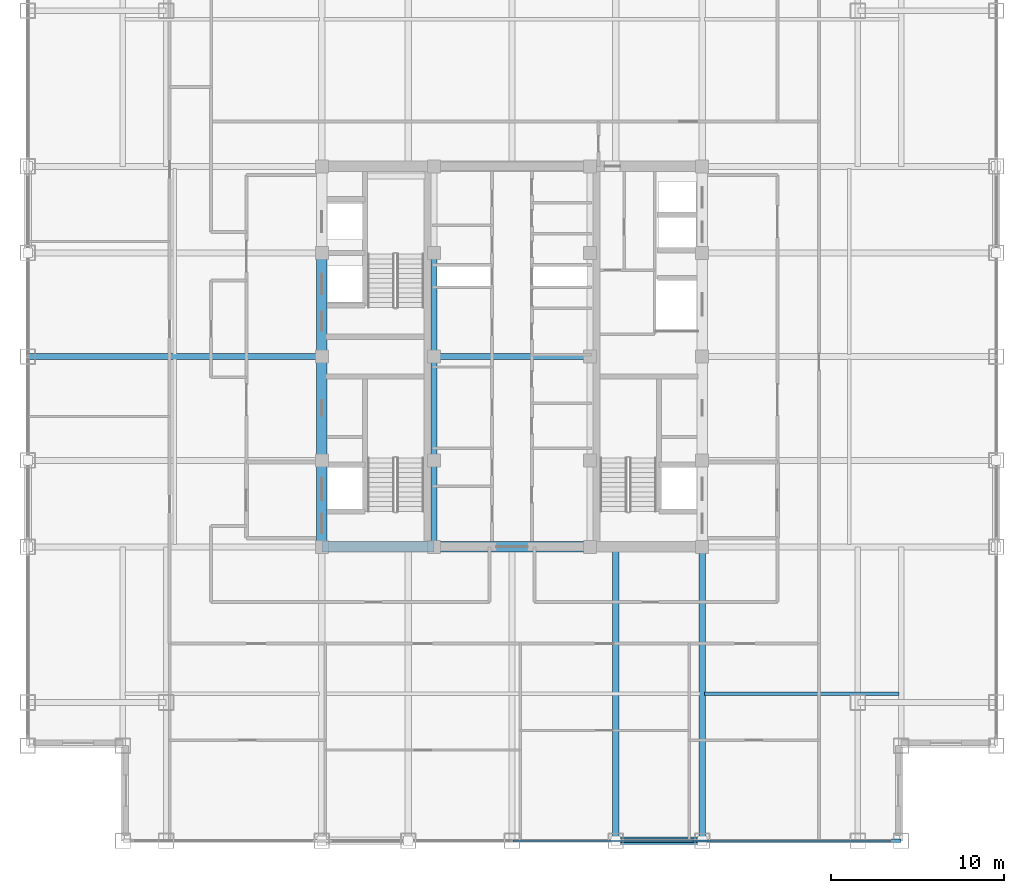
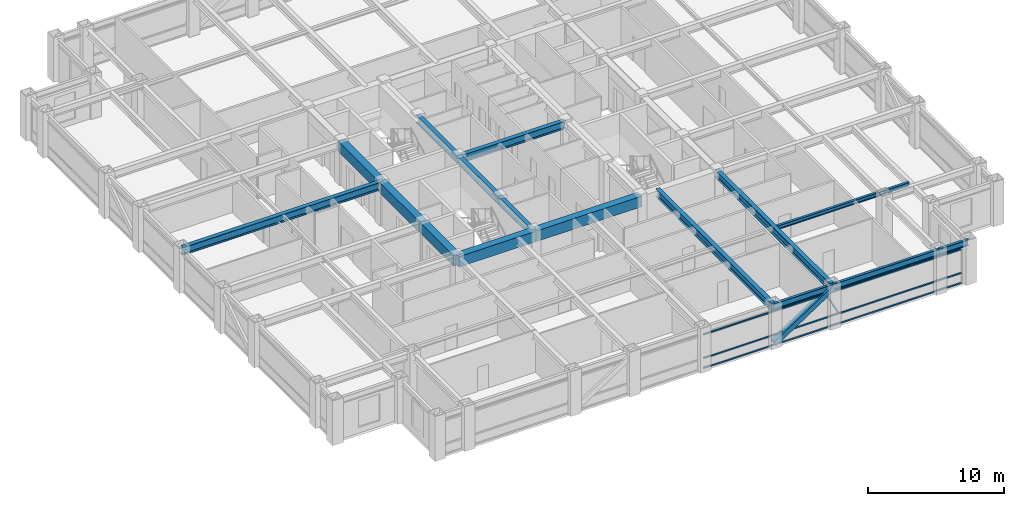
# One storey, part 7 of 22: 16 beams, 5 members, 1 element without a shape of its own.
"""IFC4 building model written with IfcOpenShell, lengths in metres."""

import ifcopenshell
import ifcopenshell.guid

model = None  # the IFC model being written
_history = None  # IfcOwnerHistory: only IFC2X3 demands one
_inside = {}  # id of a spatial element -> (the spatial element, [elements in it])
_under = {}  # id of a project, library or spatial element -> (it, [spatial elements below it])
_declared = {}  # id of a project -> (the project, [libraries it declares])
_typed = {}  # id of a type object -> (the type object, [elements of that type])
_made_of = {}  # id of a material, layer set ... -> (it, [elements and type objects made of it])


def new_model(schema):
    """Start an empty IFC model of exactly this schema.

    Asked for "IFC4X3", IfcOpenShell would pick the latest addendum, in which some entities
    have other attributes; the version numbers below select the first issue.
    IFC2X3 requires an IfcOwnerHistory on every rooted entity: one is made here for all.
    """
    global model, _history
    if schema == "IFC4X3":
        model = ifcopenshell.file(schema_version=(4, 3, 0, 0))
    else:
        model = ifcopenshell.file(schema=schema)
    _inside.clear()
    _under.clear()
    _declared.clear()
    _typed.clear()
    _made_of.clear()
    _history = None
    if model.schema == "IFC2X3":
        org = make("IfcOrganization", Name="unknown")
        user = make(
            "IfcPersonAndOrganization",
            ThePerson=make("IfcPerson", FamilyName="unknown"),
            TheOrganization=org,
        )
        app = make(
            "IfcApplication",
            ApplicationDeveloper=org,
            Version="unknown",
            ApplicationFullName="unknown",
            ApplicationIdentifier="unknown",
        )
        _history = make(
            "IfcOwnerHistory",
            OwningUser=user,
            OwningApplication=app,
            ChangeAction="ADDED",
            CreationDate=0,
        )
    return model


def make(cls, **values):
    """One entity of the class cls with the attributes given. An attribute that is None is left unset."""
    return model.create_entity(
        cls, **{name: value for name, value in values.items() if value is not None}
    )


def rooted(cls, **values):
    """An entity with a GlobalId (a new one), such as an element, a storey or a relation."""
    return make(cls, GlobalId=ifcopenshell.guid.new(), OwnerHistory=_history, **values)


def si_unit(unit_type, name, prefix=None):
    """IfcSIUnit, for example si_unit("LENGTHUNIT", "METRE", prefix="MILLI")."""
    return make("IfcSIUnit", UnitType=unit_type, Prefix=prefix, Name=name)


def assignment(units):
    """IfcUnitAssignment: the units of a project."""
    return None if units is None else make("IfcUnitAssignment", Units=units)


def point(xyz):
    """IfcCartesianPoint."""
    return None if xyz is None else make("IfcCartesianPoint", Coordinates=xyz)


def direction(xyz):
    """IfcDirection."""
    return None if xyz is None else make("IfcDirection", DirectionRatios=xyz)


def frame(location, z_axis=None, x_axis=None):
    """IfcAxis2Placement3D, a coordinate frame: its origin and axes. An axis left out is left unset."""
    return make(
        "IfcAxis2Placement3D",
        Location=point(location),
        Axis=direction(z_axis),
        RefDirection=direction(x_axis),
    )


def frame_2d(location, x_axis=None):
    """IfcAxis2Placement2D, a coordinate frame in the plane: its origin and x axis."""
    return make(
        "IfcAxis2Placement2D", Location=point(location), RefDirection=direction(x_axis)
    )


def origin():
    """The frame at (0, 0, 0) with its axes left unset."""
    return frame((0.0, 0.0, 0.0))


def origin_2d():
    """The frame at (0, 0) in the plane with its x axis left unset."""
    return frame_2d((0.0, 0.0))


def place(relative_to, where):
    """IfcLocalPlacement: puts the frame where relative to a parent placement (None: the world)."""
    return make(
        "IfcLocalPlacement", PlacementRelTo=relative_to, RelativePlacement=where
    )


def context(
    kind, dimensions, precision=None, world=None, true_north=None, identifier=None
):
    """IfcGeometricRepresentationContext, for example the 3D "Model" context."""
    return make(
        "IfcGeometricRepresentationContext",
        ContextIdentifier=identifier,
        ContextType=kind,
        CoordinateSpaceDimension=dimensions,
        Precision=precision,
        WorldCoordinateSystem=world,
        TrueNorth=true_north,
    )


def subcontext(parent, identifier, kind, view, scale=None):
    """IfcGeometricRepresentationSubContext, for example "Body" below "Model"."""
    return make(
        "IfcGeometricRepresentationSubContext",
        ContextIdentifier=identifier,
        ContextType=kind,
        ParentContext=parent,
        TargetScale=scale,
        TargetView=view,
    )


def project(units=None, contexts=None):
    """IfcProject with its units and contexts."""
    return rooted(
        "IfcProject",
        Name="project",
        RepresentationContexts=contexts,
        UnitsInContext=assignment(units),
    )


def spatial(cls, under=None, at=None, **own):
    """A site, building, storey or space (cls), placed at a placement, below another one or the project."""
    s = rooted(cls, ObjectPlacement=at, **own)
    if under is not None:
        _under.setdefault(under.id(), (under, []))[1].append(s)
    return s


def profile(cls, at=None, kind="AREA", **sizes):
    """A parametric profile (cls). Its sizes go by their IFC names, for example OverallWidth=200.0."""
    return make(cls, ProfileType=kind, Position=at, **sizes)


def rectangle(**sizes):
    """IfcRectangleProfileDef."""
    return profile("IfcRectangleProfileDef", **sizes)


def hollow_rectangle(**sizes):
    """IfcRectangleHollowProfileDef."""
    return profile("IfcRectangleHollowProfileDef", **sizes)


def i_section(**sizes):
    """IfcIShapeProfileDef."""
    return profile("IfcIShapeProfileDef", **sizes)


def extrude(swept, where, along, depth):
    """IfcExtrudedAreaSolid: the profile swept, set in the frame where, extruded along a direction by depth."""
    return make(
        "IfcExtrudedAreaSolid",
        SweptArea=swept,
        Position=where,
        ExtrudedDirection=direction(along),
        Depth=depth,
    )


def shape(context_of_items, identifier, shape_type, items):
    """IfcShapeRepresentation: the items that make up one representation, for example the "Body"."""
    return make(
        "IfcShapeRepresentation",
        ContextOfItems=context_of_items,
        RepresentationIdentifier=identifier,
        RepresentationType=shape_type,
        Items=items,
    )


def source(mapping_origin, context_of_items, identifier, shape_type, items):
    """IfcRepresentationMap: a shape defined once, which mapped items show again and again."""
    return make(
        "IfcRepresentationMap",
        MappingOrigin=mapping_origin,
        MappedRepresentation=shape(context_of_items, identifier, shape_type, items),
    )


def transform(
    local_origin,
    x_axis=None,
    y_axis=None,
    z_axis=None,
    scale=None,
    scale2=None,
    scale3=None,
    uniform=True,
):
    """IfcCartesianTransformationOperator3D, or its non-uniform kind. x_axis, y_axis, z_axis: its Axis1, 2, 3."""
    if uniform:
        return make(
            "IfcCartesianTransformationOperator3D",
            Axis1=direction(x_axis),
            Axis2=direction(y_axis),
            LocalOrigin=point(local_origin),
            Scale=scale,
            Axis3=direction(z_axis),
        )
    return make(
        "IfcCartesianTransformationOperator3DnonUniform",
        Axis1=direction(x_axis),
        Axis2=direction(y_axis),
        LocalOrigin=point(local_origin),
        Scale=scale,
        Axis3=direction(z_axis),
        Scale2=scale2,
        Scale3=scale3,
    )


def mapped(mapping_source, mapping_target):
    """IfcMappedItem: shows the shape of a source again, moved by a transform."""
    return make(
        "IfcMappedItem", MappingSource=mapping_source, MappingTarget=mapping_target
    )


def material(Name=None, Category=None):
    """IfcMaterial."""
    return make("IfcMaterial", Name=Name, Category=Category)


def material_profile(
    of_material, cross_section, Name=None, Category=None, Priority=None
):
    """IfcMaterialProfile: a cross section and its material."""
    return make(
        "IfcMaterialProfile",
        Name=Name,
        Material=of_material,
        Profile=cross_section,
        Priority=Priority,
        Category=Category,
    )


def profile_set(profiles, Name=None, composite=None):
    """IfcMaterialProfileSet."""
    return make(
        "IfcMaterialProfileSet",
        Name=Name,
        MaterialProfiles=profiles,
        CompositeProfile=composite,
    )


def made_of(thing, what):
    """Note that an element or type object is made of a material, layer set ...; save() writes the relation."""
    if what is not None:
        _made_of.setdefault(what.id(), (what, []))[1].append(thing)
    return thing


def type_object(cls, material=None, **own):
    """A type object (cls), such as IfcWallType, which elements share."""
    return made_of(rooted(cls, **own), material)


def element(
    cls,
    number,
    at=None,
    inside=None,
    cuts=None,
    type_object=None,
    material=None,
    context=None,
    identifier="Body",
    shape_type=None,
    held_by="IfcProductDefinitionShape",
    body=None,
    shapes=None,
    **own,
):
    """One element of the class cls, such as IfcWall. Its Tag is "e" and its number.

    at: its placement. inside: the storey or other place that contains it. cuts: it is an
    opening in that element (IfcRelVoidsElement). A single representation is given by context,
    identifier, shape_type and body (its items); several are given by shapes. held_by: the class
    of the entity that holds the representations. save() writes the other relations.
    """
    e = rooted(cls, Tag="e%d" % number, ObjectPlacement=at, **own)
    if body is not None:
        shapes = [shape(context, identifier, shape_type, body)]
    if shapes is not None:
        e.Representation = make(held_by, Representations=shapes)
    if inside is not None:
        _inside.setdefault(inside.id(), (inside, []))[1].append(e)
    if cuts is not None:
        rooted(
            "IfcRelVoidsElement", RelatingBuildingElement=cuts, RelatedOpeningElement=e
        )
    if type_object is not None:
        _typed.setdefault(type_object.id(), (type_object, []))[1].append(e)
    return made_of(e, material)


def aggregate(whole, parts):
    """IfcRelAggregates: a whole, such as a stair, and the parts it consists of."""
    return rooted("IfcRelAggregates", RelatingObject=whole, RelatedObjects=parts)


def save(model, path):
    """Write the relations noted so far, then the file.

    IfcRelAggregates (storeys below a building ...), IfcRelContainedInSpatialStructure (elements
    in a storey), IfcRelDefinesByType, IfcRelAssociatesMaterial and IfcRelDeclares: one each for
    every whole, place, type object, material and project.
    """
    for whole, parts in _under.values():
        aggregate(whole, parts)
    for where, things in _inside.values():
        rooted(
            "IfcRelContainedInSpatialStructure",
            RelatedElements=things,
            RelatingStructure=where,
        )
    for kind, things in _typed.values():
        rooted("IfcRelDefinesByType", RelatedObjects=things, RelatingType=kind)
    for what, things in _made_of.values():
        rooted("IfcRelAssociatesMaterial", RelatedObjects=things, RelatingMaterial=what)
    for by, libraries in _declared.values():
        rooted("IfcRelDeclares", RelatingContext=by, RelatedDefinitions=libraries)
    model.write(path)


model = new_model("IFC4")

# Units and contexts
model_context = context("Model", 3, precision=1e-05, world=origin(), true_north=direction((0.0, 1.0)))
body_context = subcontext(model_context, "Body", "Model", "MODEL_VIEW")
ifc_project = project(units=[si_unit("LENGTHUNIT", "METRE"), si_unit("AREAUNIT", "SQUARE_METRE"), si_unit("VOLUMEUNIT", "CUBIC_METRE"), si_unit("PLANEANGLEUNIT", "RADIAN"), si_unit("MASSUNIT", "GRAM", prefix="KILO")], contexts=[model_context])

# Site, building, storey
site_placement = place(None, origin())
site = spatial("IfcSite", under=ifc_project, at=site_placement, CompositionType="ELEMENT")
building_placement = place(site_placement, origin())
building = spatial("IfcBuilding", under=site, at=building_placement, Name="Khorayat Bourse Tower", CompositionType="ELEMENT")
storey_placement = place(building_placement, frame((0.0, 0.0, 297.5)))
storey = spatial("IfcBuildingStorey", under=building, at=storey_placement, Name="L70", CompositionType="ELEMENT", Elevation=297.5)

# Beams
ifc_material_1 = material(Name="Steel ASTM A992 Grade 50", Category="steel")
ifc_material_profile_1 = material_profile(ifc_material_1, i_section(OverallWidth=0.35498046875, OverallDepth=0.695068359375, WebThickness=0.015380859375, FlangeThickness=0.02490234375, FilletRadius=0.01806640625, at=origin_2d()), Name="W690X217")
ifc_profile_set_1 = profile_set([ifc_material_profile_1], Name="Steel ASTM A992 Grade 50")
beam_type_1 = type_object("IfcBeamType", Name="BM-GIRD-690", PredefinedType="BEAM", material=ifc_profile_set_1)
shared_shape_1 = source(origin(), body_context, "Body", "SweptSolid", [
    extrude(i_section(OverallWidth=0.35498046875, OverallDepth=0.695068359375, WebThickness=0.015380859375, FlangeThickness=0.02490234375, FilletRadius=0.01806640625, at=origin_2d()), origin(), (0.0, 0.0, 1.0), 5.0),
])
beam_1_placement = place(storey_placement, frame((-4.5, -11.0, 3.4326171875), z_axis=(0.0, 1.0, 0.0), x_axis=(-1.0, 0.0, 0.0)))
element("IfcBeam", 1, at=beam_1_placement, inside=storey, type_object=beam_type_1, Name="L70 BM-GIRD-690 BM-L70-CRX-05", PredefinedType="BEAM", context=body_context, shape_type="MappedRepresentation", body=[
    mapped(shared_shape_1, transform((0.0, 0.0, 0.0), scale=1.0)),
])
shared_shape_2 = source(origin(), body_context, "Body", "SweptSolid", [
    extrude(i_section(OverallWidth=0.35498046875, OverallDepth=0.695068359375, WebThickness=0.015380859375, FlangeThickness=0.02490234375, FilletRadius=0.01806640625, at=origin_2d()), origin(), (0.0, 0.0, 1.0), 6.0),
])
for number, where, z_axis, x_axis, name in (
    (2, (-4.5, -6.0, 3.4326171875), (0.0, 1.0, 0.0), (-1.0, 0.0, 0.0), "L70 BM-GIRD-690 BM-L70-CRX-06"),
    (3, (-4.5, 0.0, 3.4326171875), (0.0, 1.0, 0.0), (-1.0, 0.0, 0.0), "L70 BM-GIRD-690 BM-L70-CRX-07"),
):
    element("IfcBeam", number, at=place(storey_placement, frame(where, z_axis=z_axis, x_axis=x_axis)), inside=storey, type_object=beam_type_1, Name=name, PredefinedType="BEAM", context=body_context, shape_type="MappedRepresentation", body=[
        mapped(shared_shape_2, transform((0.0, 0.0, 0.0), scale=1.0)),
    ])
shared_shape_3 = source(origin(), body_context, "Body", "SweptSolid", [
    extrude(i_section(OverallWidth=0.35498046875, OverallDepth=0.695068359375, WebThickness=0.015380859375, FlangeThickness=0.02490234375, FilletRadius=0.01806640625, at=origin_2d()), origin(), (0.0, 0.0, 1.0), 9.0),
])
beam_2_placement = place(storey_placement, frame((-4.5, 0.0, 3.4326171875), z_axis=(1.0, 0.0, 0.0), x_axis=(0.0, 1.0, 0.0)))
element("IfcBeam", 4, at=beam_2_placement, inside=storey, type_object=beam_type_1, Name="L70 BM-GIRD-690 BM-L70-CRY-23", PredefinedType="BEAM", context=body_context, shape_type="MappedRepresentation", body=[
    mapped(shared_shape_3, transform((0.0, 0.0, 0.0), scale=1.0)),
])
ifc_material_2 = material(Name="Concrete C60/75", Category="concrete")
ifc_material_profile_2 = material_profile(ifc_material_2, rectangle(XDim=0.60009765625, YDim=0.949951171875, at=origin_2d()), Name="RC 600x950")
ifc_profile_set_2 = profile_set([ifc_material_profile_2], Name="Concrete C60/75")
beam_type_2 = type_object("IfcBeamType", Name="BM-COUP-950", PredefinedType="BEAM", material=ifc_profile_set_2)
shared_shape_4 = source(origin(), body_context, "Body", "SweptSolid", [
    extrude(rectangle(XDim=0.60009765625, YDim=0.949951171875, at=origin_2d()), origin(), (0.0, 0.0, 1.0), 5.0),
])
beam_3_placement = place(storey_placement, frame((-11.0, -11.0, 3.304931640625), z_axis=(0.0, 1.0, 0.0), x_axis=(-1.0, 0.0, 0.0)))
element("IfcBeam", 5, at=beam_3_placement, inside=storey, type_object=beam_type_2, Name="L70 BM-COUP-950 BM-L70-CRX-01", PredefinedType="BEAM", context=body_context, shape_type="MappedRepresentation", body=[
    mapped(shared_shape_4, transform((0.0, 0.0, 0.0), scale=1.0)),
])
shared_shape_5 = source(origin(), body_context, "Body", "SweptSolid", [
    extrude(rectangle(XDim=0.60009765625, YDim=0.949951171875, at=origin_2d()), origin(), (0.0, 0.0, 1.0), 6.0),
])
for number, where, z_axis, x_axis, name in (
    (6, (-11.0, -6.0, 3.304931640625), (0.0, 1.0, 0.0), (-1.0, 0.0, 0.0), "L70 BM-COUP-950 BM-L70-CRX-02"),
    (7, (-11.0, 0.0, 3.304931640625), (0.0, 1.0, 0.0), (-1.0, 0.0, 0.0), "L70 BM-COUP-950 BM-L70-CRX-03"),
):
    element("IfcBeam", number, at=place(storey_placement, frame(where, z_axis=z_axis, x_axis=x_axis)), inside=storey, type_object=beam_type_2, Name=name, PredefinedType="BEAM", context=body_context, shape_type="MappedRepresentation", body=[
        mapped(shared_shape_5, transform((0.0, 0.0, 0.0), scale=1.0)),
    ])
shared_shape_6 = source(origin(), body_context, "Body", "SweptSolid", [
    extrude(rectangle(XDim=0.60009765625, YDim=0.949951171875, at=origin_2d()), origin(), (0.0, 0.0, 1.0), 6.5),
])
beam_4_placement = place(storey_placement, frame((-11.0, -11.0, 3.304931640625), z_axis=(1.0, 0.0, 0.0), x_axis=(0.0, 1.0, 0.0)))
element("IfcBeam", 8, at=beam_4_placement, inside=storey, type_object=beam_type_2, Name="L70 BM-COUP-950 BM-L70-CRY-17", PredefinedType="BEAM", context=body_context, shape_type="MappedRepresentation", body=[
    mapped(shared_shape_6, transform((0.0, 0.0, 0.0), scale=1.0)),
])
shared_shape_7 = source(origin(), body_context, "Body", "SweptSolid", [
    extrude(rectangle(XDim=0.60009765625, YDim=0.949951171875, at=origin_2d()), origin(), (0.0, 0.0, 1.0), 9.0),
])
beam_5_placement = place(storey_placement, frame((-4.5, -11.0, 3.304931640625), z_axis=(1.0, 0.0, 0.0), x_axis=(0.0, 1.0, 0.0)))
element("IfcBeam", 9, at=beam_5_placement, inside=storey, type_object=beam_type_2, Name="L70 BM-COUP-950 BM-L70-CRY-18", PredefinedType="BEAM", context=body_context, shape_type="MappedRepresentation", body=[
    mapped(shared_shape_7, transform((0.0, 0.0, 0.0), scale=1.0)),
])

# Member
ifc_material_3 = material(Name="Steel EN 10025-4 S460M", Category="steel")
ifc_material_profile_3 = material_profile(ifc_material_3, hollow_rectangle(XDim=0.449951171875, YDim=0.449951171875, WallThickness=0.02490234375, at=origin_2d()), Name="HSS 450x450x25")
ifc_profile_set_3 = profile_set([ifc_material_profile_3], Name="Steel EN 10025-4 S460M")
member_type_1 = type_object("IfcMemberType", Name="MBR-TUBE-450", PredefinedType="BRACE", material=ifc_profile_set_3)
shared_shape_8 = source(origin(), body_context, "Body", "SweptSolid", [
    extrude(hollow_rectangle(XDim=0.449951171875, YDim=0.449951171875, WallThickness=0.02490234375, at=origin_2d()), origin(), (0.0, 0.0, 1.0), 5.979736328125),
])
member_1_placement = place(storey_placement, frame((6.0, -28.0, 0.25), z_axis=(0.836141536525, 0.0, 0.548513747227), x_axis=(0.0, 1.0, 0.0)))
element("IfcMember", 10, at=member_1_placement, inside=storey, type_object=member_type_1, Name="L70 Perimeter Tube Brace 02", PredefinedType="BRACE", context=body_context, shape_type="MappedRepresentation", body=[
    mapped(shared_shape_8, transform((0.0, 0.0, 0.0), scale=1.0)),
])

# Beams
shared_shape_9 = source(origin(), body_context, "Body", "SweptSolid", [
    extrude(i_section(OverallWidth=0.35498046875, OverallDepth=0.695068359375, WebThickness=0.015380859375, FlangeThickness=0.02490234375, FilletRadius=0.01806640625, at=origin_2d()), origin(), (0.0, 0.0, 1.0), 17.0),
])
for number, where, z_axis, x_axis, name in (
    (11, (6.0, -28.0, 3.4326171875), (0.0, 1.0, 0.0), (-1.0, 0.0, 0.0), "L70 BM-GIRD-690 BM-L70-RADY-071"),
    (12, (11.0, -28.0, 3.4326171875), (0.0, 1.0, 0.0), (-1.0, 0.0, 0.0), "L70 BM-GIRD-690 BM-L70-RADY-073"),
    (13, (-28.0, 0.0, 3.4326171875), (1.0, 0.0, 0.0), (0.0, 1.0, 0.0), "L70 BM-GIRD-690 BM-L70-RADX-079"),
):
    element("IfcBeam", number, at=place(storey_placement, frame(where, z_axis=z_axis, x_axis=x_axis)), inside=storey, type_object=beam_type_1, Name=name, PredefinedType="BEAM", context=body_context, shape_type="MappedRepresentation", body=[
        mapped(shared_shape_9, transform((0.0, 0.0, 0.0), scale=1.0)),
    ])
ifc_material_profile_4 = material_profile(ifc_material_1, i_section(OverallWidth=0.202880859375, OverallDepth=0.346923828125, WebThickness=0.0078125, FlangeThickness=0.013427734375, FilletRadius=0.010009765625, at=origin_2d()), Name="W360X64")
ifc_profile_set_4 = profile_set([ifc_material_profile_4], Name="Steel ASTM A992 Grade 50")
beam_type_3 = type_object("IfcBeamType", Name="BM-JOIST-360", PredefinedType="JOIST", material=ifc_profile_set_4)
shared_shape_10 = source(origin(), body_context, "Body", "SweptSolid", [
    extrude(i_section(OverallWidth=0.202880859375, OverallDepth=0.346923828125, WebThickness=0.0078125, FlangeThickness=0.013427734375, FilletRadius=0.010009765625, at=origin_2d()), origin(), (0.0, 0.0, 1.0), 11.240234375),
])
beam_6_placement = place(storey_placement, frame((11.1298828125, -19.5, 3.6064453125), z_axis=(1.0, 0.0, 0.0), x_axis=(0.0, 1.0, 0.0)))
element("IfcBeam", 14, at=beam_6_placement, inside=storey, type_object=beam_type_3, Name="L70 BM-JOIST-360 BM-L70-JSTX-098", PredefinedType="JOIST", context=body_context, shape_type="MappedRepresentation", body=[
    mapped(shared_shape_10, transform((0.0, 0.0, 0.0), scale=1.0)),
])
ifc_material_profile_5 = material_profile(ifc_material_1, i_section(OverallWidth=0.214111328125, OverallDepth=0.549072265625, WebThickness=0.0146484375, FlangeThickness=0.023681640625, FilletRadius=0.013916015625, at=origin_2d()), Name="W530X138")
ifc_profile_set_5 = profile_set([ifc_material_profile_5], Name="Steel ASTM A992 Grade 50")
beam_type_4 = type_object("IfcBeamType", Name="BM-SPAN-530", PredefinedType="SPANDREL", material=ifc_profile_set_5)
shared_shape_11 = source(origin(), body_context, "Body", "SweptSolid", [
    extrude(i_section(OverallWidth=0.214111328125, OverallDepth=0.549072265625, WebThickness=0.0146484375, FlangeThickness=0.023681640625, FilletRadius=0.013916015625, at=origin_2d()), origin(), (0.0, 0.0, 1.0), 2.5),
])
beam_7_placement = place(storey_placement, frame((20.0, -28.0, 3.505615234375), z_axis=(1.0, 0.0, 0.0), x_axis=(0.0, 1.0, 0.0)))
element("IfcBeam", 15, at=beam_7_placement, inside=storey, type_object=beam_type_4, Name="L70 BM-SPAN-530 BM-L70-SPN-031", PredefinedType="SPANDREL", context=body_context, shape_type="MappedRepresentation", body=[
    mapped(shared_shape_11, transform((0.0, 0.0, 0.0), scale=1.0)),
])
shared_shape_12 = source(origin(), body_context, "Body", "SweptSolid", [
    extrude(i_section(OverallWidth=0.214111328125, OverallDepth=0.549072265625, WebThickness=0.0146484375, FlangeThickness=0.023681640625, FilletRadius=0.013916015625, at=origin_2d()), origin(), (0.0, 0.0, 1.0), 9.0),
])
beam_8_placement = place(storey_placement, frame((11.0, -28.0, 3.505615234375), z_axis=(1.0, 0.0, 0.0), x_axis=(0.0, 1.0, 0.0)))
element("IfcBeam", 16, at=beam_8_placement, inside=storey, type_object=beam_type_4, Name="L70 BM-SPAN-530 BM-L70-SPN-030", PredefinedType="SPANDREL", context=body_context, shape_type="MappedRepresentation", body=[
    mapped(shared_shape_12, transform((0.0, 0.0, 0.0), scale=1.0)),
])
shared_shape_13 = source(origin(), body_context, "Body", "SweptSolid", [
    extrude(i_section(OverallWidth=0.214111328125, OverallDepth=0.549072265625, WebThickness=0.0146484375, FlangeThickness=0.023681640625, FilletRadius=0.013916015625, at=origin_2d()), origin(), (0.0, 0.0, 1.0), 5.0),
])
beam_9_placement = place(storey_placement, frame((6.0, -28.0, 3.505615234375), z_axis=(1.0, 0.0, 0.0), x_axis=(0.0, 1.0, 0.0)))
element("IfcBeam", 17, at=beam_9_placement, inside=storey, type_object=beam_type_4, Name="L70 BM-SPAN-530 BM-L70-SPN-029", PredefinedType="SPANDREL", context=body_context, shape_type="MappedRepresentation", body=[
    mapped(shared_shape_13, transform((0.0, 0.0, 0.0), scale=1.0)),
])

# Curtain wall, members
ifc_material_4 = material(Name="Aluminium EN AW-6063 T6", Category="aluminium")
curtain_wall_type = type_object("IfcCurtainWallType", Name="CW-SYS-04", PredefinedType="NOTDEFINED", material=ifc_material_4)
curtain_wall_placement = place(storey_placement, origin())
curtain_wall = element("IfcCurtainWall", 18, at=curtain_wall_placement, inside=storey, type_object=curtain_wall_type, Name="L70 Curtain Wall CW-L70-S1", PredefinedType="NOTDEFINED")
ifc_material_profile_6 = material_profile(ifc_material_4, hollow_rectangle(XDim=0.1201171875, YDim=0.1201171875, WallThickness=0.0048828125, at=origin_2d()), Name="ALU 120x120x5")
ifc_profile_set_6 = profile_set([ifc_material_profile_6], Name="Aluminium EN AW-6063 T6")
member_type_2 = type_object("IfcMemberType", Name="CWM-DIAG-120", PredefinedType="MULLION", material=ifc_profile_set_6)
shared_shape_14 = source(origin(), body_context, "Body", "SweptSolid", [
    extrude(hollow_rectangle(XDim=0.1201171875, YDim=0.1201171875, WallThickness=0.0048828125, at=origin_2d()), origin(), (0.0, 0.0, 1.0), 2.0791015625),
])
member_2_placement = place(storey_placement, frame((11.4541015625, -28.0, 1.090087890625), z_axis=(-0.465717394116, 0.0, 0.884933505309), x_axis=(0.0, -1.0, 0.0)))
member_2 = element("IfcMember", 19, at=member_2_placement, type_object=member_type_2, Name="CW-L70-S1 Faceted Diagonal Mullion 2", PredefinedType="MULLION", context=body_context, shape_type="MappedRepresentation", body=[
    mapped(shared_shape_14, transform((0.0, 0.0, 0.0), scale=1.0)),
])
ifc_material_profile_7 = material_profile(ifc_material_4, hollow_rectangle(XDim=0.1201171875, YDim=0.1201171875, WallThickness=0.0048828125, at=origin_2d()), Name="ALU 120x120x5")
ifc_profile_set_7 = profile_set([ifc_material_profile_7], Name="Aluminium EN AW-6063 T6")
member_type_3 = type_object("IfcMemberType", Name="CWT-HORZ-120", PredefinedType="USERDEFINED", material=ifc_profile_set_7)
shared_shape_15 = source(origin(), body_context, "Body", "SweptSolid", [
    extrude(hollow_rectangle(XDim=0.1201171875, YDim=0.1201171875, WallThickness=0.0048828125, at=origin_2d()), origin(), (0.0, 0.0, 1.0), 21.81982421875),
])
member_3_placement = place(storey_placement, frame((0.06005859375, -28.0, 0.06005859375), z_axis=(1.0, 0.0, 0.0), x_axis=(0.0, 1.0, 0.0)))
member_3 = element("IfcMember", 20, at=member_3_placement, type_object=member_type_3, Name="CW-L70-S1 Horizontal Transom 2-1", ObjectType="TRANSOM", PredefinedType="USERDEFINED", context=body_context, shape_type="MappedRepresentation", body=[
    mapped(shared_shape_15, transform((0.0, 0.0, 0.0), scale=1.0)),
])
member_4_placement = place(storey_placement, frame((0.06005859375, -28.0, 0.949951171875), z_axis=(1.0, 0.0, 0.0), x_axis=(0.0, 1.0, 0.0)))
member_4 = element("IfcMember", 21, at=member_4_placement, type_object=member_type_3, Name="CW-L70-S1 Horizontal Transom 2-2", ObjectType="TRANSOM", PredefinedType="USERDEFINED", context=body_context, shape_type="MappedRepresentation", body=[
    mapped(shared_shape_15, transform((0.0, 0.0, 0.0), scale=1.0)),
])
member_5_placement = place(storey_placement, frame((0.06005859375, -28.0, 3.070068359375), z_axis=(1.0, 0.0, 0.0), x_axis=(0.0, 1.0, 0.0)))
member_5 = element("IfcMember", 22, at=member_5_placement, type_object=member_type_3, Name="CW-L70-S1 Horizontal Transom 2-3", ObjectType="TRANSOM", PredefinedType="USERDEFINED", context=body_context, shape_type="MappedRepresentation", body=[
    mapped(shared_shape_15, transform((0.0, 0.0, 0.0), scale=1.0)),
])
aggregate(curtain_wall, [member_3, member_4, member_5, member_2])

save(model, "model.ifc")
